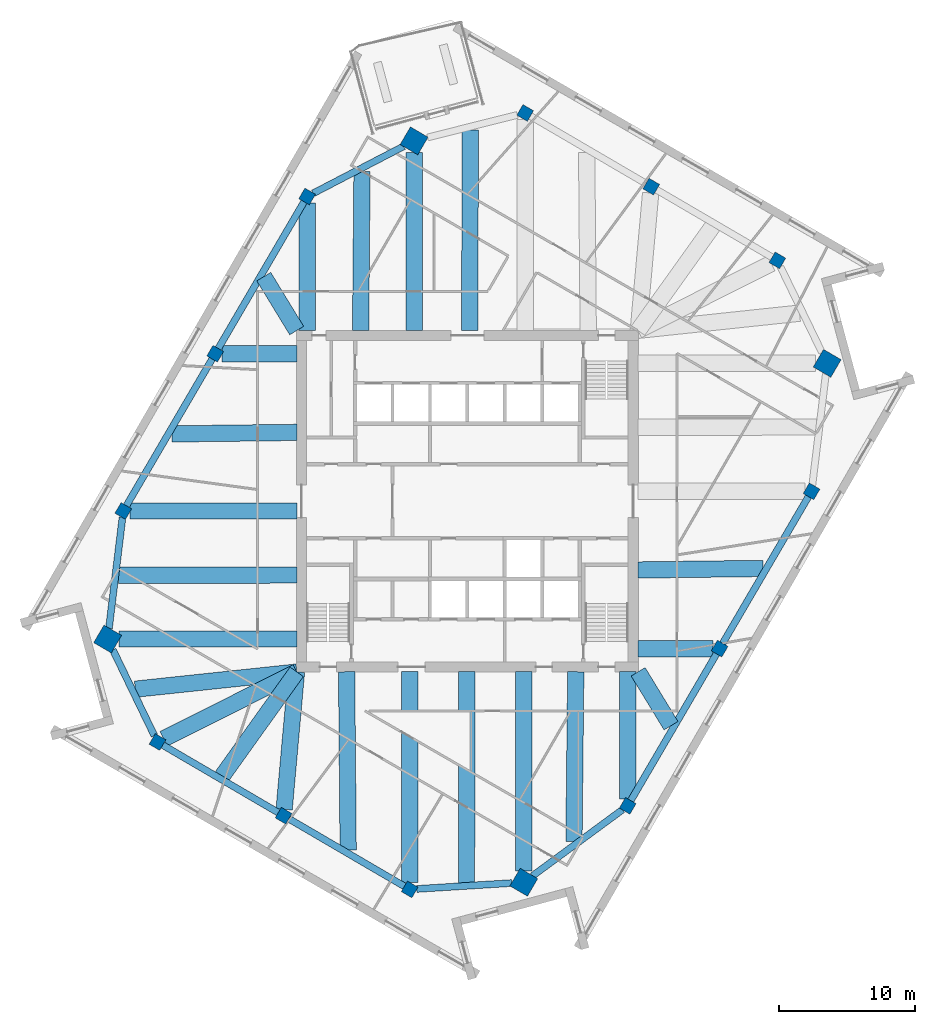
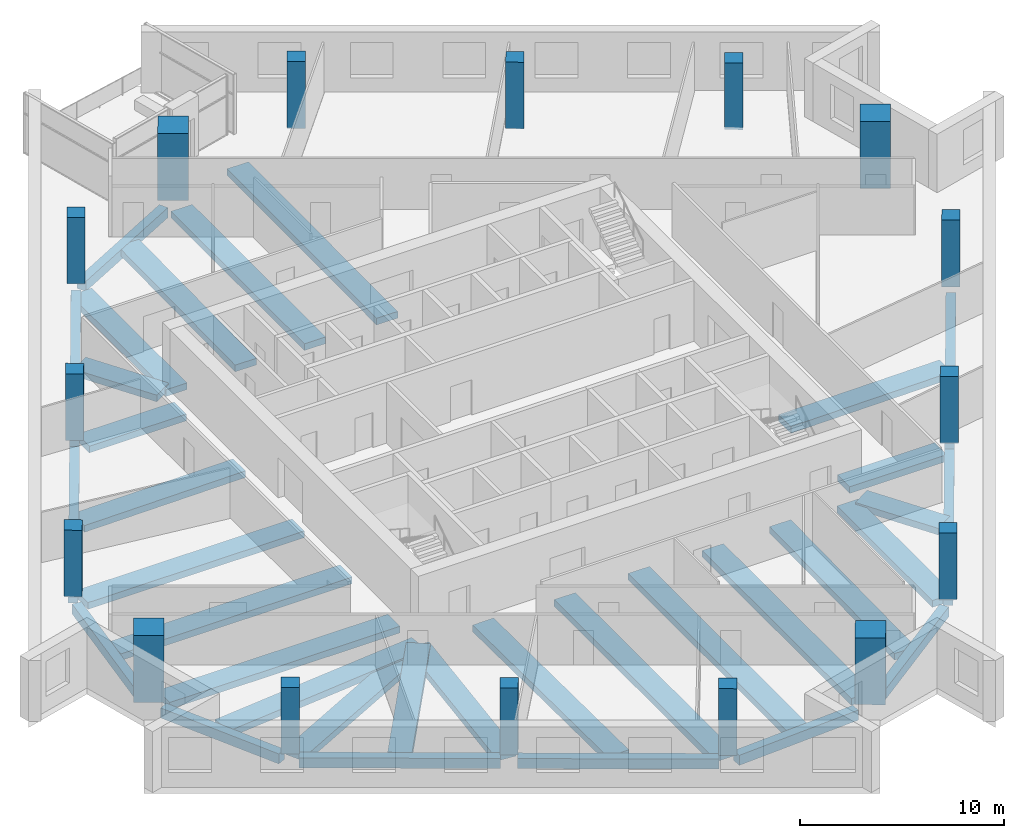
# One storey, part 1 of 13: 34 beams, 16 columns.
"""IFC4 building model written with IfcOpenShell, lengths in metres."""

from ifc_helpers import new_model, si_unit, direction, frame, origin, origin_2d, place, context, subcontext, project, spatial, rectangle, extrude, material, material_profile, profile_set, type_object, element, save


model = new_model("IFC4")

# Units and contexts
model_context = context("Model", 3, precision=1e-05, world=origin(), true_north=direction((0.0, 1.0)))
body_context = subcontext(model_context, "Body", "Model", "MODEL_VIEW")
ifc_project = project(units=[si_unit("LENGTHUNIT", "METRE"), si_unit("AREAUNIT", "SQUARE_METRE"), si_unit("VOLUMEUNIT", "CUBIC_METRE"), si_unit("PLANEANGLEUNIT", "RADIAN"), si_unit("MASSUNIT", "GRAM", prefix="KILO")], contexts=[model_context])

# Site, building, storey
site_placement = place(None, origin())
site = spatial("IfcSite", under=ifc_project, at=site_placement, CompositionType="ELEMENT")
building_placement = place(site_placement, origin())
building = spatial("IfcBuilding", under=site, at=building_placement, Name="Dilmun Exchange Tower", CompositionType="ELEMENT")
storey_placement = place(building_placement, frame((0.0, 0.0, 266.89990234375)))
storey = spatial("IfcBuildingStorey", under=building, at=storey_placement, Name="L63", CompositionType="ELEMENT", Elevation=266.89990234375)

# Columns
ifc_material_1 = material(Name="Concrete C50/60", Category="concrete")
ifc_material_profile_1 = material_profile(ifc_material_1, rectangle(XDim=1.5, YDim=1.5, at=origin_2d()), Name="1500 x 1500")
ifc_profile_set_1 = profile_set([ifc_material_profile_1], Name="Concrete C50/60")
column_type_1 = type_object("IfcColumnType", Name="RC mega column 1500 x 1500 C50/60", PredefinedType="COLUMN", material=ifc_profile_set_1)
for number, where, z_axis, x_axis, name in (
    (1, (-3.9150390625, 26.45703125, 0.0), (0.0, 0.0, 1.0), (0.504643651291, 0.863327739165, 0.0), "Mega column M1"),
    (2, (-26.4150390625, -10.1220703125, 0.0), (0.0, 0.0, 1.0), (0.504643651291, 0.863327739165, 0.0), "Mega column M2"),
    (3, (4.14111328125, -27.98291015625, 0.0), (0.0, 0.0, 1.0), (0.504643651291, 0.863327739165, 0.0), "Mega column M3"),
    (4, (26.4150390625, 10.1220703125, 0.0), (0.0, 0.0, 1.0), (0.504643651291, 0.863327739165, 0.0), "Mega column M4"),
):
    element("IfcColumn", number, at=place(storey_placement, frame(where, z_axis=z_axis, x_axis=x_axis)), inside=storey, type_object=column_type_1, Name=name, PredefinedType="COLUMN", context=body_context, shape_type="SweptSolid", body=[
        extrude(rectangle(XDim=1.5, YDim=1.5, at=origin_2d()), origin(), (0.0, 0.0, 1.0), 4.0),
    ])
ifc_material_profile_2 = material_profile(ifc_material_1, rectangle(XDim=0.89990234375, YDim=0.89990234375, at=origin_2d()), Name="900 x 900")
ifc_profile_set_2 = profile_set([ifc_material_profile_2], Name="Concrete C50/60")
column_type_2 = type_object("IfcColumnType", Name="RC ring column 900 x 900 C50/60", PredefinedType="COLUMN", material=ifc_profile_set_2)
for number, where, z_axis, x_axis, name in (
    (5, (-11.76904296875, 22.3720703125, 0.0), (0.0, 0.0, 1.0), (0.504643651291, 0.863327739165, 0.0), "Ring column R01"),
    (6, (-18.51806640625, 10.824951171875, 0.0), (0.0, 0.0, 1.0), (0.504643651291, 0.863327739165, 0.0), "Ring column R02"),
    (7, (-25.26806640625, -0.721923828125, 0.0), (0.0, 0.0, 1.0), (0.504643651291, 0.863327739165, 0.0), "Ring column R03"),
    (8, (-22.758056640625, -17.681884765625, 0.0), (0.0, 0.0, 1.0), (0.504643651291, 0.863327739165, 0.0), "Ring column R04"),
    (9, (-13.4990234375, -23.093994140625, 0.0), (0.0, 0.0, 1.0), (0.504643651291, 0.863327739165, 0.0), "Ring column R05"),
    (10, (-4.239990234375, -28.506103515625, 0.0), (0.0, 0.0, 1.0), (0.504643651291, 0.863327739165, 0.0), "Ring column R06"),
    (11, (11.76904296875, -22.3720703125, 0.0), (0.0, 0.0, 1.0), (0.504643651291, 0.863327739165, 0.0), "Ring column R07"),
    (12, (18.51806640625, -10.824951171875, 0.0), (0.0, 0.0, 1.0), (0.504643651291, 0.863327739165, 0.0), "Ring column R08"),
    (13, (25.26806640625, 0.721923828125, 0.0), (0.0, 0.0, 1.0), (0.504643651291, 0.863327739165, 0.0), "Ring column R09"),
    (14, (22.758056640625, 17.681884765625, 0.0), (0.0, 0.0, 1.0), (0.504643651291, 0.863327739165, 0.0), "Ring column R10"),
    (15, (13.4990234375, 23.093994140625, 0.0), (0.0, 0.0, 1.0), (0.504643651291, 0.863327739165, 0.0), "Ring column R11"),
    (16, (4.239990234375, 28.506103515625, 0.0), (0.0, 0.0, 1.0), (0.504643651291, 0.863327739165, 0.0), "Ring column R12"),
):
    element("IfcColumn", number, at=place(storey_placement, frame(where, z_axis=z_axis, x_axis=x_axis)), inside=storey, type_object=column_type_2, Name=name, PredefinedType="COLUMN", context=body_context, shape_type="SweptSolid", body=[
        extrude(rectangle(XDim=0.89990234375, YDim=0.89990234375, at=origin_2d()), origin(), (0.0, 0.0, 1.0), 4.0),
    ])

# Beams
ifc_material_2 = material(Name="Concrete C40/50", Category="concrete")
ifc_material_profile_3 = material_profile(ifc_material_2, rectangle(XDim=1.199951171875, YDim=0.39990234375, at=origin_2d()), Name="1200 x 400")
ifc_profile_set_3 = profile_set([ifc_material_profile_3], Name="Concrete C40/50")
beam_type_1 = type_object("IfcBeamType", Name="RC band beam 1200 x 400 C40/50", PredefinedType="BEAM", material=ifc_profile_set_3)
beam_1_placement = place(storey_placement, frame((-3.9150390625, 25.615234375, -0.659912109375), z_axis=(0.0, -1.0, 0.0), x_axis=(1.0, 0.0, 0.0)))
element("IfcBeam", 17, at=beam_1_placement, inside=storey, type_object=beam_type_1, Name="Band beam 1", PredefinedType="BEAM", context=body_context, shape_type="SweptSolid", body=[
    extrude(rectangle(XDim=1.199951171875, YDim=0.39990234375, at=origin_2d()), origin(), (0.0, 0.0, 1.0), 13.09228515625),
])
beam_2_placement = place(storey_placement, frame((-11.76904296875, 21.877685546875, -0.659912109375), z_axis=(0.0, -1.0, 0.0), x_axis=(1.0, 0.0, 0.0)))
element("IfcBeam", 18, at=beam_2_placement, inside=storey, type_object=beam_type_1, Name="Band beam 2", PredefinedType="BEAM", context=body_context, shape_type="SweptSolid", body=[
    extrude(rectangle(XDim=1.199951171875, YDim=0.39990234375, at=origin_2d()), origin(), (0.0, 0.0, 1.0), 9.354736328125),
])
beam_3_placement = place(storey_placement, frame((-18.023681640625, 10.824951171875, -0.659912109375), z_axis=(1.0, 0.0, 0.0), x_axis=(0.0, 1.0, 0.0)))
element("IfcBeam", 19, at=beam_3_placement, inside=storey, type_object=beam_type_1, Name="Band beam 3", PredefinedType="BEAM", context=body_context, shape_type="SweptSolid", body=[
    extrude(rectangle(XDim=1.199951171875, YDim=0.39990234375, at=origin_2d()), origin(), (0.0, 0.0, 1.0), 5.500732421875),
])
beam_4_placement = place(storey_placement, frame((-24.773681640625, -0.721923828125, -0.659912109375), z_axis=(1.0, 0.0, 0.0), x_axis=(0.0, 1.0, 0.0)))
element("IfcBeam", 20, at=beam_4_placement, inside=storey, type_object=beam_type_1, Name="Band beam 4", PredefinedType="BEAM", context=body_context, shape_type="SweptSolid", body=[
    extrude(rectangle(XDim=1.199951171875, YDim=0.39990234375, at=origin_2d()), origin(), (0.0, 0.0, 1.0), 12.250732421875),
])
beam_5_placement = place(storey_placement, frame((-25.5732421875, -10.1220703125, -0.659912109375), z_axis=(1.0, 0.0, 0.0), x_axis=(0.0, 1.0, 0.0)))
element("IfcBeam", 21, at=beam_5_placement, inside=storey, type_object=beam_type_1, Name="Band beam 5", PredefinedType="BEAM", context=body_context, shape_type="SweptSolid", body=[
    extrude(rectangle(XDim=1.199951171875, YDim=0.39990234375, at=origin_2d()), origin(), (0.0, 0.0, 1.0), 13.05029296875),
])
beam_6_placement = place(storey_placement, frame((-22.302734375, -17.453125, -0.659912109375), z_axis=(0.893443377394, 0.449175835716, 0.0), x_axis=(-0.449175835716, 0.893443377394, 0.0)))
element("IfcBeam", 22, at=beam_6_placement, inside=storey, type_object=beam_type_1, Name="Band beam 6", PredefinedType="BEAM", context=body_context, shape_type="SweptSolid", body=[
    extrude(rectangle(XDim=1.199951171875, YDim=0.39990234375, at=origin_2d()), origin(), (0.0, 0.0, 1.0), 10.94287109375),
])
beam_7_placement = place(storey_placement, frame((-13.456787109375, -22.625732421875, -0.659912109375), z_axis=(0.089632924375, 0.995974868593, 0.0), x_axis=(-0.995974868593, 0.089632924375, 0.0)))
element("IfcBeam", 23, at=beam_7_placement, inside=storey, type_object=beam_type_1, Name="Band beam 7", PredefinedType="BEAM", context=body_context, shape_type="SweptSolid", body=[
    extrude(rectangle(XDim=1.199951171875, YDim=0.39990234375, at=origin_2d()), origin(), (0.0, 0.0, 1.0), 10.143310546875),
])
beam_8_placement = place(storey_placement, frame((-4.239990234375, -28.01171875, -0.659912109375), z_axis=(0.0, 1.0, 0.0), x_axis=(-1.0, 0.0, 0.0)))
element("IfcBeam", 24, at=beam_8_placement, inside=storey, type_object=beam_type_1, Name="Band beam 8", PredefinedType="BEAM", context=body_context, shape_type="SweptSolid", body=[
    extrude(rectangle(XDim=1.199951171875, YDim=0.39990234375, at=origin_2d()), origin(), (0.0, 0.0, 1.0), 15.48876953125),
])
beam_9_placement = place(storey_placement, frame((4.14111328125, -27.141357421875, -0.659912109375), z_axis=(0.0, 1.0, 0.0), x_axis=(-1.0, 0.0, 0.0)))
element("IfcBeam", 25, at=beam_9_placement, inside=storey, type_object=beam_type_1, Name="Band beam 9", PredefinedType="BEAM", context=body_context, shape_type="SweptSolid", body=[
    extrude(rectangle(XDim=1.199951171875, YDim=0.39990234375, at=origin_2d()), origin(), (0.0, 0.0, 1.0), 14.618408203125),
])
beam_10_placement = place(storey_placement, frame((11.76904296875, -21.877685546875, -0.659912109375), z_axis=(0.0, 1.0, 0.0), x_axis=(-1.0, 0.0, 0.0)))
element("IfcBeam", 26, at=beam_10_placement, inside=storey, type_object=beam_type_1, Name="Band beam 10", PredefinedType="BEAM", context=body_context, shape_type="SweptSolid", body=[
    extrude(rectangle(XDim=1.199951171875, YDim=0.39990234375, at=origin_2d()), origin(), (0.0, 0.0, 1.0), 9.354736328125),
])
beam_11_placement = place(storey_placement, frame((18.023681640625, -10.824951171875, -0.659912109375), z_axis=(-1.0, 0.0, 0.0), x_axis=(0.0, -1.0, 0.0)))
element("IfcBeam", 27, at=beam_11_placement, inside=storey, type_object=beam_type_1, Name="Band beam 11", PredefinedType="BEAM", context=body_context, shape_type="SweptSolid", body=[
    extrude(rectangle(XDim=1.199951171875, YDim=0.39990234375, at=origin_2d()), origin(), (0.0, 0.0, 1.0), 5.500732421875),
])
beam_12_placement = place(storey_placement, frame((-7.739013671875, 24.216796875, -0.559814453125), z_axis=(-0.008810046818, -0.999961190784, 0.0), x_axis=(0.999961190784, -0.008810046818, 0.0)))
element("IfcBeam", 28, at=beam_12_placement, inside=storey, type_object=beam_type_1, Name="Band beam 17", PredefinedType="BEAM", context=body_context, shape_type="SweptSolid", body=[
    extrude(rectangle(XDim=1.199951171875, YDim=0.39990234375, at=origin_2d()), origin(), (0.0, 0.0, 1.0), 11.6943359375),
])
beam_13_placement = place(storey_placement, frame((-14.950927734375, 16.486083984375, -0.559814453125), z_axis=(0.520868546878, -0.853636899901, 0.0), x_axis=(0.853636899901, 0.520868546878, 0.0)))
element("IfcBeam", 29, at=beam_13_placement, inside=storey, type_object=beam_type_1, Name="Band beam 18", PredefinedType="BEAM", context=body_context, shape_type="SweptSolid", body=[
    extrude(rectangle(XDim=1.199951171875, YDim=0.39990234375, at=origin_2d()), origin(), (0.0, 0.0, 1.0), 4.637451171875),
])
beam_14_placement = place(storey_placement, frame((-21.700439453125, 4.93896484375, -0.559814453125), z_axis=(0.999924810861, 0.01226265164, 0.0), x_axis=(-0.01226265164, 0.999924810861, 0.0)))
element("IfcBeam", 30, at=beam_14_placement, inside=storey, type_object=beam_type_1, Name="Band beam 19", PredefinedType="BEAM", context=body_context, shape_type="SweptSolid", body=[
    extrude(rectangle(XDim=1.199951171875, YDim=0.39990234375, at=origin_2d()), origin(), (0.0, 0.0, 1.0), 9.17822265625),
])
beam_15_placement = place(storey_placement, frame((-25.6201171875, -5.448974609375, -0.559814453125), z_axis=(0.999997897774, 0.002050474756, 0.0), x_axis=(-0.002050474756, 0.999997897774, 0.0)))
element("IfcBeam", 31, at=beam_15_placement, inside=storey, type_object=beam_type_1, Name="Band beam 20", PredefinedType="BEAM", context=body_context, shape_type="SweptSolid", body=[
    extrude(rectangle(XDim=1.199951171875, YDim=0.39990234375, at=origin_2d()), origin(), (0.0, 0.0, 1.0), 13.09716796875),
])
beam_16_placement = place(storey_placement, frame((-24.3857421875, -13.804931640625, -0.559814453125), z_axis=(0.994425543871, 0.105441157505, 0.0), x_axis=(-0.105441157505, 0.994425543871, 0.0)))
element("IfcBeam", 32, at=beam_16_placement, inside=storey, type_object=beam_type_1, Name="Band beam 21", PredefinedType="BEAM", context=body_context, shape_type="SweptSolid", body=[
    extrude(rectangle(XDim=1.199951171875, YDim=0.39990234375, at=origin_2d()), origin(), (0.0, 0.0, 1.0), 11.928955078125),
])
beam_17_placement = place(storey_placement, frame((-18.01611328125, -20.195556640625, -0.559814453125), z_axis=(0.581600762294, 0.81347437163, 0.0), x_axis=(-0.81347437163, 0.581600762294, 0.0)))
element("IfcBeam", 33, at=beam_17_placement, inside=storey, type_object=beam_type_1, Name="Band beam 22", PredefinedType="BEAM", context=body_context, shape_type="SweptSolid", body=[
    extrude(rectangle(XDim=1.199951171875, YDim=0.39990234375, at=origin_2d()), origin(), (0.0, 0.0, 1.0), 9.425537109375),
])
beam_18_placement = place(storey_placement, frame((-8.757080078125, -25.607421875, -0.559814453125), z_axis=(-0.008582734208, 0.999963167658, 0.0), x_axis=(-0.999963167658, -0.008582734208, 0.0)))
element("IfcBeam", 34, at=beam_18_placement, inside=storey, type_object=beam_type_1, Name="Band beam 23", PredefinedType="BEAM", context=body_context, shape_type="SweptSolid", body=[
    extrude(rectangle(XDim=1.199951171875, YDim=0.39990234375, at=origin_2d()), origin(), (0.0, 0.0, 1.0), 13.0849609375),
])
beam_19_placement = place(storey_placement, frame((-0.0634765625, -28.02197265625, -0.559814453125), z_axis=(0.000897863667, 0.99999959692, 0.0), x_axis=(-0.99999959692, 0.000897863667, 0.0)))
element("IfcBeam", 35, at=beam_19_placement, inside=storey, type_object=beam_type_1, Name="Band beam 24", PredefinedType="BEAM", context=body_context, shape_type="SweptSolid", body=[
    extrude(rectangle(XDim=1.199951171875, YDim=0.39990234375, at=origin_2d()), origin(), (0.0, 0.0, 1.0), 15.4990234375),
])
beam_20_placement = place(storey_placement, frame((7.822998046875, -24.997802734375, -0.559814453125), z_axis=(0.010587112348, 0.999943954956, 0.0), x_axis=(-0.999943954956, 0.010587112348, 0.0)))
element("IfcBeam", 36, at=beam_20_placement, inside=storey, type_object=beam_type_1, Name="Band beam 25", PredefinedType="BEAM", context=body_context, shape_type="SweptSolid", body=[
    extrude(rectangle(XDim=1.199951171875, YDim=0.39990234375, at=origin_2d()), origin(), (0.0, 0.0, 1.0), 12.4755859375),
])
beam_21_placement = place(storey_placement, frame((14.950927734375, -16.486083984375, -0.559814453125), z_axis=(-0.520868546878, 0.853636899901, 0.0), x_axis=(-0.853636899901, -0.520868546878, 0.0)))
element("IfcBeam", 37, at=beam_21_placement, inside=storey, type_object=beam_type_1, Name="Band beam 26", PredefinedType="BEAM", context=body_context, shape_type="SweptSolid", body=[
    extrude(rectangle(XDim=1.199951171875, YDim=0.39990234375, at=origin_2d()), origin(), (0.0, 0.0, 1.0), 4.637451171875),
])
beam_22_placement = place(storey_placement, frame((21.700439453125, -4.93896484375, -0.559814453125), z_axis=(-0.999924810861, -0.01226265164, 0.0), x_axis=(0.01226265164, -0.999924810861, 0.0)))
element("IfcBeam", 38, at=beam_22_placement, inside=storey, type_object=beam_type_1, Name="Band beam 27", PredefinedType="BEAM", context=body_context, shape_type="SweptSolid", body=[
    extrude(rectangle(XDim=1.199951171875, YDim=0.39990234375, at=origin_2d()), origin(), (0.0, 0.0, 1.0), 9.17822265625),
])
beam_23_placement = place(storey_placement, frame((0.216796875, 27.26513671875, -0.559814453125), z_axis=(-0.003676445742, -0.999993241851, 0.0), x_axis=(0.999993241851, -0.003676445742, 0.0)))
element("IfcBeam", 39, at=beam_23_placement, inside=storey, type_object=beam_type_1, Name="Band beam 32", PredefinedType="BEAM", context=body_context, shape_type="SweptSolid", body=[
    extrude(rectangle(XDim=1.199951171875, YDim=0.39990234375, at=origin_2d()), origin(), (0.0, 0.0, 1.0), 14.7421875),
])
ifc_material_profile_4 = material_profile(ifc_material_2, rectangle(XDim=0.5, YDim=0.60009765625, at=origin_2d()), Name="500 x 600")
ifc_profile_set_4 = profile_set([ifc_material_profile_4], Name="Concrete C40/50")
beam_type_2 = type_object("IfcBeamType", Name="RC ring beam 500 x 600 C40/50", PredefinedType="SPANDREL", material=ifc_profile_set_4)
beam_24_placement = place(storey_placement, frame((-4.677490234375, 26.060302734375, -0.659912109375), z_axis=(-0.887179966585, -0.461423565599, 0.0), x_axis=(0.461423565599, -0.887179966585, 0.0)))
element("IfcBeam", 40, at=beam_24_placement, inside=storey, type_object=beam_type_2, Name="Ring beam 1", PredefinedType="SPANDREL", context=body_context, shape_type="SweptSolid", body=[
    extrude(rectangle(XDim=0.5, YDim=0.60009765625, at=origin_2d()), origin(), (0.0, 0.0, 1.0), 7.48828125),
])
beam_25_placement = place(storey_placement, frame((-11.982421875, 22.0068359375, -0.659912109375), z_axis=(-0.504603860956, -0.863350996703, 0.0), x_axis=(0.863350996703, -0.504603860956, 0.0)))
element("IfcBeam", 41, at=beam_25_placement, inside=storey, type_object=beam_type_2, Name="Ring beam 2", PredefinedType="SPANDREL", context=body_context, shape_type="SweptSolid", body=[
    extrude(rectangle(XDim=0.5, YDim=0.60009765625, at=origin_2d()), origin(), (0.0, 0.0, 1.0), 12.528564453125),
])
beam_26_placement = place(storey_placement, frame((-18.7314453125, 10.459716796875, -0.659912109375), z_axis=(-0.504670446374, -0.863312075994, 0.0), x_axis=(0.863312075994, -0.504670446374, 0.0)))
element("IfcBeam", 42, at=beam_26_placement, inside=storey, type_object=beam_type_2, Name="Ring beam 3", PredefinedType="SPANDREL", context=body_context, shape_type="SweptSolid", body=[
    extrude(rectangle(XDim=0.5, YDim=0.60009765625, at=origin_2d()), origin(), (0.0, 0.0, 1.0), 12.529052734375),
])
beam_27_placement = place(storey_placement, frame((-25.32421875, -1.181640625, -0.659912109375), z_axis=(-0.121108645076, -0.992639257781, 0.0), x_axis=(0.992639257781, -0.121108645076, 0.0)))
element("IfcBeam", 43, at=beam_27_placement, inside=storey, type_object=beam_type_2, Name="Ring beam 4", PredefinedType="SPANDREL", context=body_context, shape_type="SweptSolid", body=[
    extrude(rectangle(XDim=0.5, YDim=0.60009765625, at=origin_2d()), origin(), (0.0, 0.0, 1.0), 8.216796875),
])
beam_28_placement = place(storey_placement, frame((-26.033447265625, -10.910888671875, -0.659912109375), z_axis=(0.435439794363, -0.900217854458, 0.0), x_axis=(0.900217854458, 0.435439794363, 0.0)))
element("IfcBeam", 44, at=beam_28_placement, inside=storey, type_object=beam_type_2, Name="Ring beam 5", PredefinedType="SPANDREL", context=body_context, shape_type="SweptSolid", body=[
    extrude(rectangle(XDim=0.5, YDim=0.60009765625, at=origin_2d()), origin(), (0.0, 0.0, 1.0), 7.0068359375),
])
beam_29_placement = place(storey_placement, frame((-22.392822265625, -17.8955078125, -0.659912109375), z_axis=(0.863333071594, -0.504634528637, 0.0), x_axis=(0.504634528637, 0.863333071594, 0.0)))
element("IfcBeam", 45, at=beam_29_placement, inside=storey, type_object=beam_type_2, Name="Ring beam 6", PredefinedType="SPANDREL", context=body_context, shape_type="SweptSolid", body=[
    extrude(rectangle(XDim=0.5, YDim=0.60009765625, at=origin_2d()), origin(), (0.0, 0.0, 1.0), 9.878662109375),
])
beam_30_placement = place(storey_placement, frame((-13.1337890625, -23.3076171875, -0.659912109375), z_axis=(0.863343838609, -0.504616107884, 0.0), x_axis=(0.504616107884, 0.863343838609, 0.0)))
element("IfcBeam", 46, at=beam_30_placement, inside=storey, type_object=beam_type_2, Name="Ring beam 7", PredefinedType="SPANDREL", context=body_context, shape_type="SweptSolid", body=[
    extrude(rectangle(XDim=0.5, YDim=0.60009765625, at=origin_2d()), origin(), (0.0, 0.0, 1.0), 9.87841796875),
])
beam_31_placement = place(storey_placement, frame((-3.72607421875, -28.473876953125, -0.659912109375), z_axis=(0.998059216844, 0.062271981443, 0.0), x_axis=(-0.062271981443, 0.998059216844, 0.0)))
element("IfcBeam", 47, at=beam_31_placement, inside=storey, type_object=beam_type_2, Name="Ring beam 8", PredefinedType="SPANDREL", context=body_context, shape_type="SweptSolid", body=[
    extrude(rectangle(XDim=0.5, YDim=0.60009765625, at=origin_2d()), origin(), (0.0, 0.0, 1.0), 7.006103515625),
])
beam_32_placement = place(storey_placement, frame((4.77734375, -27.514892578125, -0.659912109375), z_axis=(0.805549228719, 0.592528851711, 0.0), x_axis=(-0.592528851711, 0.805549228719, 0.0)))
element("IfcBeam", 48, at=beam_32_placement, inside=storey, type_object=beam_type_2, Name="Ring beam 9", PredefinedType="SPANDREL", context=body_context, shape_type="SweptSolid", body=[
    extrude(rectangle(XDim=0.5, YDim=0.60009765625, at=origin_2d()), origin(), (0.0, 0.0, 1.0), 8.21630859375),
])
beam_33_placement = place(storey_placement, frame((11.982421875, -22.0068359375, -0.659912109375), z_axis=(0.504603860956, 0.863350996703, 0.0), x_axis=(-0.863350996703, 0.504603860956, 0.0)))
element("IfcBeam", 49, at=beam_33_placement, inside=storey, type_object=beam_type_2, Name="Ring beam 10", PredefinedType="SPANDREL", context=body_context, shape_type="SweptSolid", body=[
    extrude(rectangle(XDim=0.5, YDim=0.60009765625, at=origin_2d()), origin(), (0.0, 0.0, 1.0), 12.528564453125),
])
beam_34_placement = place(storey_placement, frame((18.7314453125, -10.459716796875, -0.659912109375), z_axis=(0.504670446374, 0.863312075994, 0.0), x_axis=(-0.863312075994, 0.504670446374, 0.0)))
element("IfcBeam", 50, at=beam_34_placement, inside=storey, type_object=beam_type_2, Name="Ring beam 11", PredefinedType="SPANDREL", context=body_context, shape_type="SweptSolid", body=[
    extrude(rectangle(XDim=0.5, YDim=0.60009765625, at=origin_2d()), origin(), (0.0, 0.0, 1.0), 12.529052734375),
])

save(model, "model.ifc")
